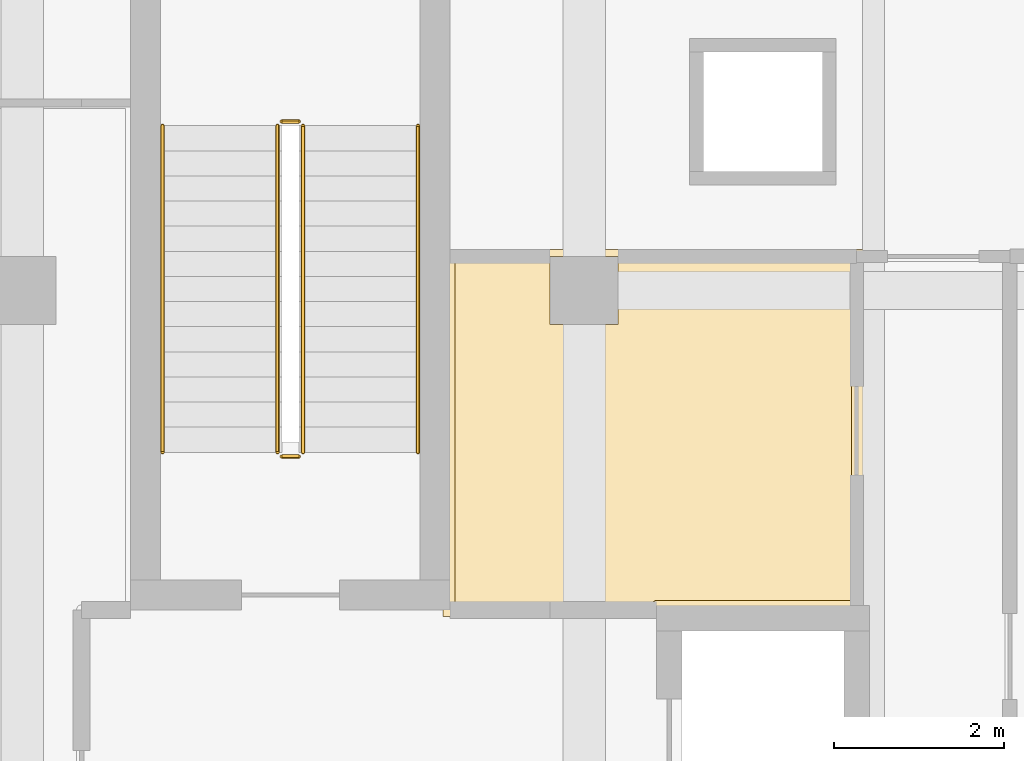
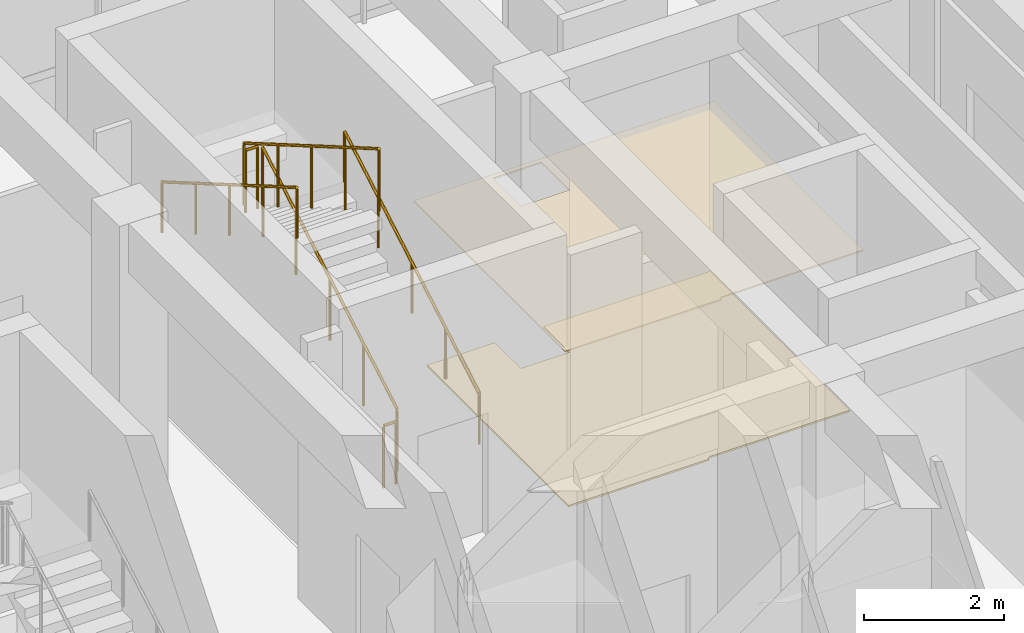
# One storey, part 79 of 79: 6 railings, 2 coverings.
"""IFC4 building model written with IfcOpenShell, lengths in metres."""

from ifc_helpers import new_model, si_unit, direction, frame, origin, origin_2d, place, context, subcontext, project, spatial, polyline, circle, outline, extrude, material, layer, layer_set, type_object, element, save


model = new_model("IFC4")

# Units and contexts
model_context = context("Model", 3, precision=1e-05, world=origin(), true_north=direction((0.0, 1.0)))
body_context = subcontext(model_context, "Body", "Model", "MODEL_VIEW")
ifc_project = project(units=[si_unit("LENGTHUNIT", "METRE"), si_unit("AREAUNIT", "SQUARE_METRE"), si_unit("VOLUMEUNIT", "CUBIC_METRE"), si_unit("PLANEANGLEUNIT", "RADIAN"), si_unit("MASSUNIT", "GRAM", prefix="KILO")], contexts=[model_context])

# Site, building, storey
site_placement = place(None, origin())
site = spatial("IfcSite", under=ifc_project, at=site_placement, CompositionType="ELEMENT")
building_placement = place(site_placement, origin())
building = spatial("IfcBuilding", under=site, at=building_placement, Name="Kolvaren Faculty of Natural Sciences", CompositionType="ELEMENT")
storey_placement = place(building_placement, frame((0.0, 0.0, 10.199951171875)))
storey = spatial("IfcBuildingStorey", under=building, at=storey_placement, Name="L02", CompositionType="ELEMENT", Elevation=10.199951171875)

# Covering
ifc_material_1 = material(Name="Perforated mineral-fibre acoustic suspended ceiling tile")
ifc_layer_1 = layer(ifc_material_1, 0.02490234375)
ifc_layer_set_1 = layer_set([ifc_layer_1], Name="Perforated mineral-fibre acoustic suspended ceiling tile")
covering_type_1 = type_object("IfcCoveringType", Name="AcousticSuspendedCeiling_25", PredefinedType="CEILING", material=ifc_layer_set_1)
covering_1_placement = place(storey_placement, frame((0.0, 0.0, 2.824951171875)))
element("IfcCovering", 1, at=covering_1_placement, inside=storey, type_object=covering_type_1, Name="L02 L02 Reagent and Cryo-Specimen Store acoustic ceiling", PredefinedType="CEILING", context=body_context, shape_type="SweptSolid", body=[
    extrude(outline(polyline([(163.544921875, 71.969970703125), (163.544921875, 76.280029296875), (168.47998046875, 76.280029296875), (168.47998046875, 72.02001953125), (166.1298828125, 72.02001953125), (166.1298828125, 71.969970703125), (163.544921875, 71.969970703125)]), holes=[polyline([(164.800048828125, 76.199951171875), (164.800048828125, 75.39990234375), (165.60009765625, 75.39990234375), (165.60009765625, 76.199951171875), (164.800048828125, 76.199951171875)])]), origin(), (0.0, 0.0, 1.0), 0.025146484375),
])

# Railings
ifc_material_2 = material(Name="Structural steel EN 10210-1 S355J2H", Category="steel")
ifc_layer_2 = layer(ifc_material_2, 0.048095703125)
ifc_layer_set_2 = layer_set([ifc_layer_2], Name="Structural steel EN 10210-1 S355J2H")
railing_type_1 = type_object("IfcRailingType", Name="StairPitchHandrail_920", PredefinedType="HANDRAIL", material=ifc_layer_set_2)
railing_1_placement = place(storey_placement, frame((163.25, 73.89990234375, 0.17138671875)))
element("IfcRailing", 2, at=railing_1_placement, inside=storey, type_object=railing_type_1, Name="L02 ST-1 stair handrail 1", PredefinedType="HANDRAIL", context=body_context, shape_type="SweptSolid", body=[
    extrude(circle(Radius=0.02392578125, at=origin_2d()), frame((0.0, 0.0, 0.8759765625), z_axis=(0.0, 0.864606168755, 0.50245016962), x_axis=(-1.0, 0.0, 0.0)), (0.0, 0.0, 1.0), 4.435791015625),
    extrude(circle(Radius=0.02099609375, at=origin_2d()), origin(), (0.0, 0.0, 1.0), 0.851806640625),
    extrude(circle(Radius=0.02099609375, at=origin_2d()), frame((0.0, 0.958740234375, 0.55712890625)), (0.0, 0.0, 1.0), 0.851806640625),
    extrude(circle(Radius=0.02099609375, at=origin_2d()), frame((0.0, 1.91748046875, 1.1142578125)), (0.0, 0.0, 1.0), 0.851806640625),
    extrude(circle(Radius=0.02099609375, at=origin_2d()), frame((0.0, 2.87646484375, 1.671630859375)), (0.0, 0.0, 1.0), 0.851806640625),
    extrude(circle(Radius=0.02099609375, at=origin_2d()), frame((0.0, 3.835205078125, 2.228759765625)), (0.0, 0.0, 1.0), 0.851806640625),
])
railing_2_placement = place(storey_placement, frame((160.25, 77.735107421875, 2.571533203125)))
element("IfcRailing", 3, at=railing_2_placement, inside=storey, type_object=railing_type_1, Name="L02 ST-1 stair handrail 2", PredefinedType="HANDRAIL", context=body_context, shape_type="SweptSolid", body=[
    extrude(circle(Radius=0.02392578125, at=origin_2d()), frame((0.0, 0.0, 0.8759765625), z_axis=(0.0, -0.864630078522, 0.502409023919), x_axis=(1.0, 0.0, 0.0)), (0.0, 0.0, 1.0), 4.435546875),
    extrude(circle(Radius=0.02099609375, at=origin_2d()), origin(), (0.0, 0.0, 1.0), 0.851806640625),
    extrude(circle(Radius=0.02099609375, at=origin_2d()), frame((0.0, -0.958740234375, 0.55712890625)), (0.0, 0.0, 1.0), 0.851806640625),
    extrude(circle(Radius=0.02099609375, at=origin_2d()), frame((0.0, -1.91748046875, 1.1142578125)), (0.0, 0.0, 1.0), 0.851806640625),
    extrude(circle(Radius=0.02099609375, at=origin_2d()), frame((0.0, -2.87646484375, 1.67138671875)), (0.0, 0.0, 1.0), 0.851806640625),
    extrude(circle(Radius=0.02099609375, at=origin_2d()), frame((0.0, -3.835205078125, 2.228515625)), (0.0, 0.0, 1.0), 0.851806640625),
])
ifc_layer_3 = layer(ifc_material_2, 0.048095703125)
ifc_layer_set_3 = layer_set([ifc_layer_3], Name="Structural steel EN 10210-1 S355J2H")
railing_type_2 = type_object("IfcRailingType", Name="StairWellGuard_1100", PredefinedType="BALUSTRADE", material=ifc_layer_set_3)
railing_3_placement = place(storey_placement, frame((161.89990234375, 73.89990234375, 0.17138671875)))
element("IfcRailing", 4, at=railing_3_placement, inside=storey, type_object=railing_type_2, Name="L02 ST-1 stair guard 1", PredefinedType="BALUSTRADE", context=body_context, shape_type="SweptSolid", body=[
    extrude(circle(Radius=0.02392578125, at=origin_2d()), frame((0.0, 0.0, 1.076171875), z_axis=(0.0, 0.864606168755, 0.50245016962), x_axis=(-1.0, 0.0, 0.0)), (0.0, 0.0, 1.0), 4.435791015625),
    extrude(circle(Radius=0.02099609375, at=origin_2d()), origin(), (0.0, 0.0, 1.0), 1.052001953125),
    extrude(circle(Radius=0.02099609375, at=origin_2d()), frame((0.0, 0.958740234375, 0.55712890625)), (0.0, 0.0, 1.0), 1.052001953125),
    extrude(circle(Radius=0.02099609375, at=origin_2d()), frame((0.0, 1.91748046875, 1.1142578125)), (0.0, 0.0, 1.0), 1.052001953125),
    extrude(circle(Radius=0.02099609375, at=origin_2d()), frame((0.0, 2.87646484375, 1.671630859375)), (0.0, 0.0, 1.0), 1.052001953125),
    extrude(circle(Radius=0.02099609375, at=origin_2d()), frame((0.0, 3.835205078125, 2.228759765625)), (0.0, 0.0, 1.0), 1.052001953125),
])
railing_4_placement = place(storey_placement, frame((161.85009765625, 77.784912109375, 2.400146484375)))
element("IfcRailing", 5, at=railing_4_placement, inside=storey, type_object=railing_type_2, Name="L02 ST-1 stair guard 2", PredefinedType="BALUSTRADE", context=body_context, shape_type="SweptSolid", body=[
    extrude(circle(Radius=0.02392578125, at=origin_2d()), frame((0.0, 0.0, 1.076171875), z_axis=(-1.0, 0.0, 0.0), x_axis=(0.0, -1.0, 0.0)), (0.0, 0.0, 1.0), 0.2001953125),
    extrude(circle(Radius=0.02099609375, at=origin_2d()), origin(), (0.0, 0.0, 1.0), 1.052001953125),
    extrude(circle(Radius=0.02099609375, at=origin_2d()), frame((-0.2001953125, 0.0, 0.0)), (0.0, 0.0, 1.0), 1.052001953125),
])
railing_5_placement = place(storey_placement, frame((161.60009765625, 77.735107421875, 2.571533203125)))
element("IfcRailing", 6, at=railing_5_placement, inside=storey, type_object=railing_type_2, Name="L02 ST-1 stair guard 3", PredefinedType="BALUSTRADE", context=body_context, shape_type="SweptSolid", body=[
    extrude(circle(Radius=0.02392578125, at=origin_2d()), frame((0.0, 0.0, 1.076171875), z_axis=(0.0, -0.864630078522, 0.502409023919), x_axis=(1.0, 0.0, 0.0)), (0.0, 0.0, 1.0), 4.435546875),
    extrude(circle(Radius=0.02099609375, at=origin_2d()), origin(), (0.0, 0.0, 1.0), 1.052001953125),
    extrude(circle(Radius=0.02099609375, at=origin_2d()), frame((0.0, -0.958740234375, 0.55712890625)), (0.0, 0.0, 1.0), 1.052001953125),
    extrude(circle(Radius=0.02099609375, at=origin_2d()), frame((0.0, -1.91748046875, 1.1142578125)), (0.0, 0.0, 1.0), 1.052001953125),
    extrude(circle(Radius=0.02099609375, at=origin_2d()), frame((0.0, -2.87646484375, 1.67138671875)), (0.0, 0.0, 1.0), 1.052001953125),
    extrude(circle(Radius=0.02099609375, at=origin_2d()), frame((0.0, -3.835205078125, 2.228515625)), (0.0, 0.0, 1.0), 1.052001953125),
])
railing_6_placement = place(storey_placement, frame((161.85009765625, 73.85009765625, 0.0)))
element("IfcRailing", 7, at=railing_6_placement, inside=storey, type_object=railing_type_2, Name="L02 ST-1 stair guard 4", PredefinedType="BALUSTRADE", context=body_context, shape_type="SweptSolid", body=[
    extrude(circle(Radius=0.02392578125, at=origin_2d()), frame((0.0, 0.0, 1.076171875), z_axis=(-1.0, 0.0, 0.0), x_axis=(0.0, -1.0, 0.0)), (0.0, 0.0, 1.0), 0.2001953125),
    extrude(circle(Radius=0.02099609375, at=origin_2d()), origin(), (0.0, 0.0, 1.0), 1.052001953125),
    extrude(circle(Radius=0.02099609375, at=origin_2d()), frame((-0.2001953125, 0.0, 0.0)), (0.0, 0.0, 1.0), 1.052001953125),
])

# Covering
ifc_material_3 = material(Name="Polished Uruguayan grey granite terrazzo flooring", Category="masonry")
ifc_layer_4 = layer(ifc_material_3, 0.030029296875)
ifc_layer_set_4 = layer_set([ifc_layer_4], Name="Polished Uruguayan grey granite terrazzo flooring")
covering_type_2 = type_object("IfcCoveringType", Name="TerrazzoFloorFinish_30", PredefinedType="FLOORING", material=ifc_layer_set_4)
covering_2_placement = place(storey_placement, origin())
element("IfcCovering", 8, at=covering_2_placement, inside=storey, type_object=covering_type_2, Name="L02 L02 Reagent and Cryo-Specimen Store floor finish", PredefinedType="FLOORING", context=body_context, shape_type="SweptSolid", body=[
    extrude(outline(polyline([(163.68505859375, 72.110107421875), (163.68505859375, 76.139892578125), (164.800048828125, 76.139892578125), (164.800048828125, 75.39990234375), (165.60009765625, 75.39990234375), (165.60009765625, 76.139892578125), (168.340087890625, 76.139892578125), (168.340087890625, 72.159912109375), (166.050048828125, 72.159912109375), (166.044189453125, 72.15966796875), (166.038330078125, 72.15869140625), (166.03271484375, 72.157470703125), (166.027099609375, 72.155517578125), (166.021728515625, 72.15283203125), (166.0166015625, 72.14990234375), (166.011962890625, 72.146484375), (166.007568359375, 72.142333984375), (166.003662109375, 72.13818359375), (166.0, 72.13330078125), (165.9970703125, 72.12841796875), (165.99462890625, 72.123046875), (165.99267578125, 72.117431640625), (165.9912109375, 72.11181640625), (165.990966796875, 72.110107421875), (163.68505859375, 72.110107421875)])), origin(), (0.0, 0.0, 1.0), 0.030029296875),
])

save(model, "model.ifc")
